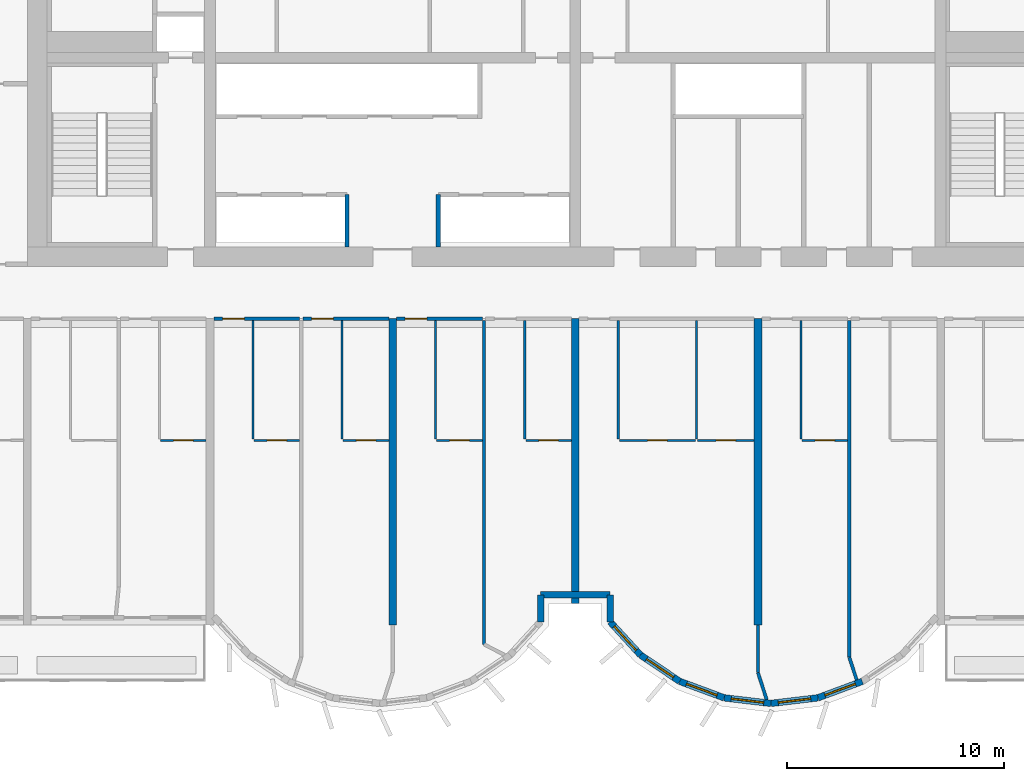
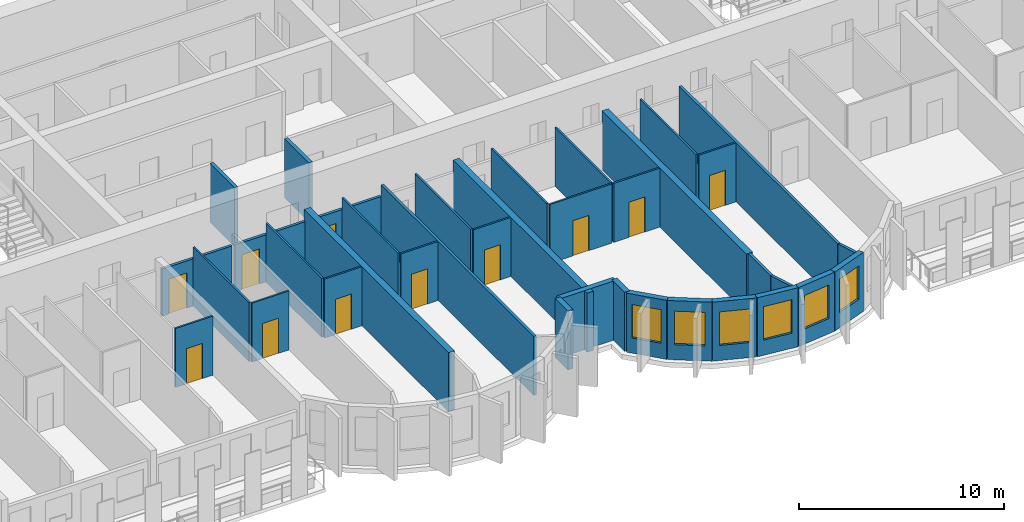
# One storey, part 5 of 15: 37 walls, 11 doors, 6 windows, 17 openings.
"""IFC4 building model written with IfcOpenShell, lengths in metres."""

from ifc_helpers import new_model, si_unit, direction, frame, frame_2d, origin, place, context, subcontext, project, spatial, rectangle, extrude, source, transform, mapped, material, layer, layer_set, type_object, element, fill, save


model = new_model("IFC4")

# Units and contexts
model_context = context("Model", 3, precision=1e-05, world=origin(), true_north=direction((0.0, 1.0)))
body_context = subcontext(model_context, "Body", "Model", "MODEL_VIEW")
ifc_project = project(units=[si_unit("LENGTHUNIT", "METRE"), si_unit("AREAUNIT", "SQUARE_METRE"), si_unit("VOLUMEUNIT", "CUBIC_METRE"), si_unit("PLANEANGLEUNIT", "RADIAN"), si_unit("MASSUNIT", "GRAM", prefix="KILO")], contexts=[model_context])

# Site, building, storey
site_placement = place(None, origin())
site = spatial("IfcSite", under=ifc_project, at=site_placement, CompositionType="ELEMENT")
building_placement = place(site_placement, origin())
building = spatial("IfcBuilding", under=site, at=building_placement, Name="Vanashikhar Sky Hotel", CompositionType="ELEMENT")
storey_placement = place(building_placement, frame((0.0, 0.0, 110.39990234375)))
storey = spatial("IfcBuildingStorey", under=building, at=storey_placement, Name="L26", CompositionType="ELEMENT", Elevation=110.39990234375)

# Walls
ifc_material_1 = material(Name="Concrete M70", Category="concrete")
ifc_layer_1 = layer(ifc_material_1, 0.35009765625)
ifc_layer_set_1 = layer_set([ifc_layer_1], Name="RC shear wall 350 Concrete M70")
wall_type_1 = type_object("IfcWallType", Name="RC shear wall 350 Concrete M70", PredefinedType="SHEAR", material=ifc_layer_set_1)
shared_shape_1 = source(origin(), body_context, "Body", "SweptSolid", [
    extrude(rectangle(XDim=14.10009765625, YDim=0.35009765625, at=frame_2d((7.050048828125, 0.0))), origin(), (0.0, 0.0, 1.0), 3.52001953125),
])
for number, where, z_axis, x_axis, name in (
    (1, (42.0, 5.5, 0.0), (0.0, 0.0, 1.0), (0.0, 1.0, 0.0), "CW-L26-XW06-1"),
    (2, (58.800048828125, 5.5, 0.0), (0.0, 0.0, 1.0), (0.0, 1.0, 0.0), "CW-L26-XW08-1"),
):
    element("IfcWall", number, at=place(storey_placement, frame(where, z_axis=z_axis, x_axis=x_axis)), inside=storey, type_object=wall_type_1, Name=name, PredefinedType="SHEAR", context=body_context, shape_type="MappedRepresentation", body=[
        mapped(shared_shape_1, transform((0.0, 0.0, 0.0), scale=1.0)),
    ])
shared_shape_2 = source(origin(), body_context, "Body", "SweptSolid", [
    extrude(rectangle(XDim=13.10009765625, YDim=0.35009765625, at=frame_2d((6.550048828125, 0.0))), origin(), (0.0, 0.0, 1.0), 3.52001953125),
])
wall_1_placement = place(storey_placement, frame((50.39990234375, 6.5, 0.0), z_axis=(0.0, 0.0, 1.0), x_axis=(0.0, 1.0, 0.0)))
element("IfcWall", 3, at=wall_1_placement, inside=storey, type_object=wall_type_1, Name="CW-L26-XW07-1", PredefinedType="SHEAR", context=body_context, shape_type="MappedRepresentation", body=[
    mapped(shared_shape_2, transform((0.0, 0.0, 0.0), scale=1.0)),
])

# Wall, opening, window
ifc_material_2 = material(Name="Concrete M50", Category="concrete")
ifc_layer_2 = layer(ifc_material_2, 0.300048828125)
ifc_layer_set_2 = layer_set([ifc_layer_2], Name="Lobe wall 300")
wall_type_2 = type_object("IfcWallType", Name="Lobe wall 300", PredefinedType="SOLIDWALL", material=ifc_layer_set_2)
shared_shape_3 = source(origin(), body_context, "Body", "SweptSolid", [
    extrude(rectangle(XDim=2.17578125, YDim=0.300048828125, at=frame_2d((1.087890625, 0.0))), origin(), (0.0, 0.0, 1.0), 3.52001953125),
])
wall_2_placement = place(storey_placement, frame((53.395751953125, 4.13134765625, 0.0), z_axis=(0.0, 0.0, 1.0), x_axis=(0.829590746428, -0.558371913192, 0.0)))
wall_2 = element("IfcWall", 4, at=wall_2_placement, inside=storey, type_object=wall_type_2, Name="Lobe wall", PredefinedType="SOLIDWALL", context=body_context, shape_type="MappedRepresentation", body=[
    mapped(shared_shape_3, transform((0.0, 0.0, 0.0), scale=1.0)),
])
shared_shape_4 = source(origin(), body_context, "Body", "SweptSolid", [
    extrude(rectangle(XDim=1.5, YDim=2.0, at=frame_2d((0.75, 1.0))), frame((0.0, 0.16015625, 0.0), z_axis=(0.0, -1.0, 0.0), x_axis=(1.0, 0.0, 0.0)), (0.0, 0.0, 1.0), 0.320068359375),
])
opening_1_placement = place(wall_2_placement, frame((0.337890625, 0.0, 0.89990234375)))
opening_1 = element("IfcOpeningElement", 5, at=opening_1_placement, cuts=wall_2, Name="Opening WN-2", PredefinedType="OPENING", context=body_context, shape_type="MappedRepresentation", body=[
    mapped(shared_shape_4, transform((0.0, 0.0, 0.0), scale=1.0)),
])
ifc_material_3 = material(Name="Glass", Category="glass")
window_type = type_object("IfcWindowType", Name="Lobe window 1500 x 2000", PartitioningType="SINGLE_PANEL", PredefinedType="WINDOW", material=ifc_material_3)
shared_shape_5 = source(origin(), body_context, "Body", "SweptSolid", [
    extrude(rectangle(XDim=1.5, YDim=2.0, at=frame_2d((0.75, 1.0))), frame((0.0, 0.030029296875, 0.0), z_axis=(0.0, -1.0, 0.0), x_axis=(1.0, 0.0, 0.0)), (0.0, 0.0, 1.0), 0.06005859375),
])
window_1_placement = place(opening_1_placement, origin())
window_1 = element("IfcWindow", 6, at=window_1_placement, inside=storey, type_object=window_type, Name="Window WN-2", OverallHeight=2.0, OverallWidth=1.5, PartitioningType="SINGLE_PANEL", PredefinedType="WINDOW", context=body_context, shape_type="MappedRepresentation", body=[
    mapped(shared_shape_5, transform((0.0, 0.0, 0.0), scale=1.0)),
])
fill(opening_1, window_1)

wall_3_placement = place(storey_placement, frame((55.20068359375, 2.91650390625, 0.0), z_axis=(0.0, 0.0, 1.0), x_axis=(0.93754555999, -0.347862505801, 0.0)))
wall_3 = element("IfcWall", 7, at=wall_3_placement, inside=storey, type_object=wall_type_2, Name="Lobe wall", PredefinedType="SOLIDWALL", context=body_context, shape_type="MappedRepresentation", body=[
    mapped(shared_shape_3, transform((0.0, 0.0, 0.0), scale=1.0)),
])
opening_2_placement = place(wall_3_placement, frame((0.337890625, 0.0, 0.89990234375)))
opening_2 = element("IfcOpeningElement", 8, at=opening_2_placement, cuts=wall_3, Name="Opening WN-2", PredefinedType="OPENING", context=body_context, shape_type="MappedRepresentation", body=[
    mapped(shared_shape_4, transform((0.0, 0.0, 0.0), scale=1.0)),
])
window_2_placement = place(opening_2_placement, origin())
window_2 = element("IfcWindow", 9, at=window_2_placement, inside=storey, type_object=window_type, Name="Window WN-2", OverallHeight=2.0, OverallWidth=1.5, PartitioningType="SINGLE_PANEL", PredefinedType="WINDOW", context=body_context, shape_type="MappedRepresentation", body=[
    mapped(shared_shape_5, transform((0.0, 0.0, 0.0), scale=1.0)),
])
fill(opening_2, window_2)

shared_shape_6 = source(origin(), body_context, "Body", "SweptSolid", [
    extrude(rectangle(XDim=2.174560546875, YDim=0.300048828125, at=frame_2d((1.08740234375, 0.0))), origin(), (0.0, 0.0, 1.0), 3.52001953125),
])
wall_4_placement = place(storey_placement, frame((57.240478515625, 2.15966796875, 0.0), z_axis=(0.0, 0.0, 1.0), x_axis=(0.993001132889, -0.118104826659, 0.0)))
wall_4 = element("IfcWall", 10, at=wall_4_placement, inside=storey, type_object=wall_type_2, Name="Lobe wall", PredefinedType="SOLIDWALL", context=body_context, shape_type="MappedRepresentation", body=[
    mapped(shared_shape_6, transform((0.0, 0.0, 0.0), scale=1.0)),
])
opening_3_placement = place(wall_4_placement, frame((0.33740234375, 0.0, 0.89990234375)))
opening_3 = element("IfcOpeningElement", 11, at=opening_3_placement, cuts=wall_4, Name="Opening WN-2", PredefinedType="OPENING", context=body_context, shape_type="MappedRepresentation", body=[
    mapped(shared_shape_4, transform((0.0, 0.0, 0.0), scale=1.0)),
])
window_3_placement = place(opening_3_placement, origin())
window_3 = element("IfcWindow", 12, at=window_3_placement, inside=storey, type_object=window_type, Name="Window WN-2", OverallHeight=2.0, OverallWidth=1.5, PartitioningType="SINGLE_PANEL", PredefinedType="WINDOW", context=body_context, shape_type="MappedRepresentation", body=[
    mapped(shared_shape_5, transform((0.0, 0.0, 0.0), scale=1.0)),
])
fill(opening_3, window_3)

shared_shape_7 = source(origin(), body_context, "Body", "SweptSolid", [
    extrude(rectangle(XDim=2.1748046875, YDim=0.300048828125, at=frame_2d((1.08740234375, 0.0))), origin(), (0.0, 0.0, 1.0), 3.52001953125),
])
wall_5_placement = place(storey_placement, frame((59.39990234375, 1.90283203125, 0.0), z_axis=(0.0, 0.0, 1.0), x_axis=(0.993002698611, 0.118091661648, 0.0)))
wall_5 = element("IfcWall", 13, at=wall_5_placement, inside=storey, type_object=wall_type_2, Name="Lobe wall", PredefinedType="SOLIDWALL", context=body_context, shape_type="MappedRepresentation", body=[
    mapped(shared_shape_7, transform((0.0, 0.0, 0.0), scale=1.0)),
])
opening_4_placement = place(wall_5_placement, frame((0.33740234375, 0.0, 0.89990234375)))
opening_4 = element("IfcOpeningElement", 14, at=opening_4_placement, cuts=wall_5, Name="Opening WN-2", PredefinedType="OPENING", context=body_context, shape_type="MappedRepresentation", body=[
    mapped(shared_shape_4, transform((0.0, 0.0, 0.0), scale=1.0)),
])
window_4_placement = place(opening_4_placement, origin())
window_4 = element("IfcWindow", 15, at=window_4_placement, inside=storey, type_object=window_type, Name="Window WN-2", OverallHeight=2.0, OverallWidth=1.5, PartitioningType="SINGLE_PANEL", PredefinedType="WINDOW", context=body_context, shape_type="MappedRepresentation", body=[
    mapped(shared_shape_5, transform((0.0, 0.0, 0.0), scale=1.0)),
])
fill(opening_4, window_4)

shared_shape_8 = source(origin(), body_context, "Body", "SweptSolid", [
    extrude(rectangle(XDim=2.175537109375, YDim=0.300048828125, at=frame_2d((1.087890625, 0.0))), origin(), (0.0, 0.0, 1.0), 3.52001953125),
])
wall_6_placement = place(storey_placement, frame((61.5595703125, 2.15966796875, 0.0), z_axis=(0.0, 0.0, 1.0), x_axis=(0.937531979054, 0.347899106424, 0.0)))
wall_6 = element("IfcWall", 16, at=wall_6_placement, inside=storey, type_object=wall_type_2, Name="Lobe wall", PredefinedType="SOLIDWALL", context=body_context, shape_type="MappedRepresentation", body=[
    mapped(shared_shape_8, transform((0.0, 0.0, 0.0), scale=1.0)),
])
opening_5_placement = place(wall_6_placement, frame((0.337890625, 0.0, 0.89990234375)))
opening_5 = element("IfcOpeningElement", 17, at=opening_5_placement, cuts=wall_6, Name="Opening WN-2", PredefinedType="OPENING", context=body_context, shape_type="MappedRepresentation", body=[
    mapped(shared_shape_4, transform((0.0, 0.0, 0.0), scale=1.0)),
])
window_5_placement = place(opening_5_placement, origin())
window_5 = element("IfcWindow", 18, at=window_5_placement, inside=storey, type_object=window_type, Name="Window WN-2", OverallHeight=2.0, OverallWidth=1.5, PartitioningType="SINGLE_PANEL", PredefinedType="WINDOW", context=body_context, shape_type="MappedRepresentation", body=[
    mapped(shared_shape_5, transform((0.0, 0.0, 0.0), scale=1.0)),
])
fill(opening_5, window_5)

shared_shape_9 = source(origin(), body_context, "Body", "SweptSolid", [
    extrude(rectangle(XDim=2.066650390625, YDim=0.300048828125, at=frame_2d((1.033203125, 0.0))), origin(), (0.0, 0.0, 1.0), 3.52001953125),
])
wall_7_placement = place(storey_placement, frame((52.0, 5.655517578125, 0.0), z_axis=(0.0, 0.0, 1.0), x_axis=(0.675355439877, -0.737492393065, 0.0)))
wall_7 = element("IfcWall", 19, at=wall_7_placement, inside=storey, type_object=wall_type_2, Name="Lobe wall", PredefinedType="SOLIDWALL", context=body_context, shape_type="MappedRepresentation", body=[
    mapped(shared_shape_9, transform((0.0, 0.0, 0.0), scale=1.0)),
])
opening_6_placement = place(wall_7_placement, frame((0.283447265625, 0.0, 0.89990234375)))
opening_6 = element("IfcOpeningElement", 20, at=opening_6_placement, cuts=wall_7, Name="Opening WN-2", PredefinedType="OPENING", context=body_context, shape_type="MappedRepresentation", body=[
    mapped(shared_shape_4, transform((0.0, 0.0, 0.0), scale=1.0)),
])
window_6_placement = place(opening_6_placement, origin())
window_6 = element("IfcWindow", 21, at=window_6_placement, inside=storey, type_object=window_type, Name="Window WN-2", OverallHeight=2.0, OverallWidth=1.5, PartitioningType="SINGLE_PANEL", PredefinedType="WINDOW", context=body_context, shape_type="MappedRepresentation", body=[
    mapped(shared_shape_5, transform((0.0, 0.0, 0.0), scale=1.0)),
])
fill(opening_6, window_6)

# Walls
shared_shape_10 = source(origin(), body_context, "Body", "SweptSolid", [
    extrude(rectangle(XDim=1.244384765625, YDim=0.300048828125, at=frame_2d((0.6220703125, 0.0))), origin(), (0.0, 0.0, 1.0), 3.52001953125),
])
for number, where, z_axis, x_axis, name in (
    (22, (48.800048828125, 5.655517578125, 0.0), (0.0, 0.0, 1.0), (0.0, 1.0, 0.0), "Groove wall"),
    (23, (52.0, 6.89990234375, 0.0), (0.0, 0.0, 1.0), (0.0, -1.0, 0.0), "Groove wall"),
):
    element("IfcWall", number, at=place(storey_placement, frame(where, z_axis=z_axis, x_axis=x_axis)), inside=storey, type_object=wall_type_2, Name=name, PredefinedType="SOLIDWALL", context=body_context, shape_type="MappedRepresentation", body=[
        mapped(shared_shape_10, transform((0.0, 0.0, 0.0), scale=1.0)),
    ])
shared_shape_11 = source(origin(), body_context, "Body", "SweptSolid", [
    extrude(rectangle(XDim=3.199951171875, YDim=0.300048828125, at=frame_2d((1.60009765625, 0.0))), origin(), (0.0, 0.0, 1.0), 3.52001953125),
])
wall_8_placement = place(storey_placement, frame((48.800048828125, 6.89990234375, 0.0), z_axis=(0.0, 0.0, 1.0), x_axis=(1.0, 0.0, 0.0)))
element("IfcWall", 24, at=wall_8_placement, inside=storey, type_object=wall_type_2, Name="Groove wall", PredefinedType="SOLIDWALL", context=body_context, shape_type="MappedRepresentation", body=[
    mapped(shared_shape_11, transform((0.0, 0.0, 0.0), scale=1.0)),
])
ifc_material_4 = material(Name="Concrete M40", Category="concrete")
ifc_layer_3 = layer(ifc_material_4, 0.199951171875)
ifc_layer_set_3 = layer_set([ifc_layer_3], Name="Shaft wall 200")
wall_type_3 = type_object("IfcWallType", Name="Shaft wall 200", PredefinedType="SOLIDWALL", material=ifc_layer_set_3)
shared_shape_12 = source(origin(), body_context, "Body", "SweptSolid", [
    extrude(rectangle(XDim=2.400146484375, YDim=0.199951171875, at=frame_2d((1.2001953125, 0.0))), origin(), (0.0, 0.0, 1.0), 3.52001953125),
])
for number, where, z_axis, x_axis, name in (
    (25, (39.89990234375, 22.89990234375, 0.0), (0.0, 0.0, 1.0), (0.0, 1.0, 0.0), "Shaft wall 200"),
    (26, (44.10009765625, 22.89990234375, 0.0), (0.0, 0.0, 1.0), (0.0, 1.0, 0.0), "Shaft wall 200"),
):
    element("IfcWall", number, at=place(storey_placement, frame(where, z_axis=z_axis, x_axis=x_axis)), inside=storey, type_object=wall_type_3, Name=name, PredefinedType="SOLIDWALL", context=body_context, shape_type="MappedRepresentation", body=[
        mapped(shared_shape_12, transform((0.0, 0.0, 0.0), scale=1.0)),
    ])
ifc_material_5 = material(Name="Gypsum plasterboard partition")
ifc_layer_4 = layer(ifc_material_5, 0.14990234375)
ifc_layer_set_4 = layer_set([ifc_layer_4], Name="Corridor and demising partition 150")
wall_type_4 = type_object("IfcWallType", Name="Corridor and demising partition 150", PredefinedType="PARTITIONING", material=ifc_layer_set_4)
shared_shape_13 = source(origin(), body_context, "Body", "SweptSolid", [
    extrude(rectangle(XDim=2.177978515625, YDim=0.14990234375, at=frame_2d((1.0888671875, 0.0))), origin(), (0.0, 0.0, 1.0), 3.52001953125),
])
wall_9_placement = place(storey_placement, frame((58.800048828125, 3.322021484375, 0.0), z_axis=(0.0, 0.0, 1.0), x_axis=(0.0, 1.0, 0.0)))
element("IfcWall", 27, at=wall_9_placement, inside=storey, type_object=wall_type_4, Name="W-L26-PW080", PredefinedType="PARTITIONING", context=body_context, shape_type="MappedRepresentation", body=[
    mapped(shared_shape_13, transform((0.0, 0.0, 0.0), scale=1.0)),
])

# Wall, opening, door
ifc_layer_5 = layer(ifc_material_5, 0.10009765625)
ifc_layer_set_5 = layer_set([ifc_layer_5], Name="Wet room partition 100")
wall_type_5 = type_object("IfcWallType", Name="Wet room partition 100", PredefinedType="PARTITIONING", material=ifc_layer_set_5)
shared_shape_14 = source(origin(), body_context, "Body", "SweptSolid", [
    extrude(rectangle(XDim=3.5, YDim=0.10009765625, at=frame_2d((1.75, 0.0))), origin(), (0.0, 0.0, 1.0), 3.52001953125),
])
wall_10_placement = place(storey_placement, frame((52.425048828125, 14.0, 0.0), z_axis=(0.0, 0.0, 1.0), x_axis=(1.0, 0.0, 0.0)))
wall_10 = element("IfcWall", 28, at=wall_10_placement, inside=storey, type_object=wall_type_5, Name="W-L26-PW045", PredefinedType="PARTITIONING", context=body_context, shape_type="MappedRepresentation", body=[
    mapped(shared_shape_14, transform((0.0, 0.0, 0.0), scale=1.0)),
])
shared_shape_15 = source(origin(), body_context, "Body", "SweptSolid", [
    extrude(rectangle(XDim=0.89990234375, YDim=2.10009765625, at=frame_2d((0.449951171875, 1.050048828125))), frame((0.0, 0.06005859375, 0.0), z_axis=(0.0, -1.0, 0.0), x_axis=(1.0, 0.0, 0.0)), (0.0, 0.0, 1.0), 0.1201171875),
])
opening_7_placement = place(wall_10_placement, frame((1.300048828125, 0.0, 0.0)))
opening_7 = element("IfcOpeningElement", 29, at=opening_7_placement, cuts=wall_10, Name="Opening D-02", PredefinedType="OPENING", context=body_context, shape_type="MappedRepresentation", body=[
    mapped(shared_shape_15, transform((0.0, 0.0, 0.0), scale=1.0)),
])
ifc_material_6 = material(Name="Timber door", Category="wood")
door_type_1 = type_object("IfcDoorType", Name="Internal door 900", OperationType="NOTDEFINED", PredefinedType="DOOR", material=ifc_material_6)
shared_shape_16 = source(origin(), body_context, "Body", "SweptSolid", [
    extrude(rectangle(XDim=0.89990234375, YDim=2.10009765625, at=frame_2d((0.449951171875, 1.050048828125))), frame((0.0, 0.02490234375, 0.0), z_axis=(0.0, -1.0, 0.0), x_axis=(1.0, 0.0, 0.0)), (0.0, 0.0, 1.0), 0.050048828125),
])
door_1_placement = place(opening_7_placement, origin())
door_1 = element("IfcDoor", 30, at=door_1_placement, inside=storey, type_object=door_type_1, Name="D-L26-025", OperationType="SINGLE_SWING_LEFT", OverallHeight=2.10009765625, OverallWidth=0.89990234375, PredefinedType="DOOR", context=body_context, shape_type="MappedRepresentation", body=[
    mapped(shared_shape_16, transform((0.0, 0.0, 0.0), scale=1.0)),
])
fill(opening_7, door_1)

# Walls
shared_shape_17 = source(origin(), body_context, "Body", "SweptSolid", [
    extrude(rectangle(XDim=1.100830078125, YDim=0.14990234375, at=frame_2d((0.55029296875, 0.0))), origin(), (0.0, 0.0, 1.0), 3.52001953125),
])
wall_11_placement = place(storey_placement, frame((63.343017578125, 2.98095703125, 0.0), z_axis=(0.0, 0.0, 1.0), x_axis=(-0.311567081539, 0.950224159712, 0.0)))
element("IfcWall", 31, at=wall_11_placement, inside=storey, type_object=wall_type_4, Name="W-L26-PW054B0", PredefinedType="PARTITIONING", context=body_context, shape_type="MappedRepresentation", body=[
    mapped(shared_shape_17, transform((0.0, 0.0, 0.0), scale=1.0)),
])
shared_shape_18 = source(origin(), body_context, "Body", "SweptSolid", [
    extrude(rectangle(XDim=1.308349609375, YDim=0.14990234375, at=frame_2d((0.654296875, 0.0))), origin(), (0.0, 0.0, 1.0), 3.52001953125),
])
wall_12_placement = place(storey_placement, frame((59.201904296875, 2.076904296875, 0.0), z_axis=(0.0, 0.0, 1.0), x_axis=(-0.307144529633, 0.951662880392, 0.0)))
element("IfcWall", 32, at=wall_12_placement, inside=storey, type_object=wall_type_4, Name="W-L26-PW080B0", PredefinedType="PARTITIONING", context=body_context, shape_type="MappedRepresentation", body=[
    mapped(shared_shape_18, transform((0.0, 0.0, 0.0), scale=1.0)),
])
shared_shape_19 = source(origin(), body_context, "Body", "SweptSolid", [
    extrude(rectangle(XDim=5.449951171875, YDim=0.10009765625, at=frame_2d((2.72509765625, 0.0))), origin(), (0.0, 0.0, 1.0), 3.52001953125),
])
for number, where, z_axis, x_axis, name in (
    (33, (35.574951171875, 14.074951171875, 0.0), (0.0, 0.0, 1.0), (0.0, 1.0, 0.0), "W-L26-PW029"),
    (34, (39.675048828125, 14.074951171875, 0.0), (0.0, 0.0, 1.0), (0.0, 1.0, 0.0), "W-L26-PW032"),
    (35, (43.97509765625, 14.074951171875, 0.0), (0.0, 0.0, 1.0), (0.0, 1.0, 0.0), "W-L26-PW036"),
    (36, (48.074951171875, 14.074951171875, 0.0), (0.0, 0.0, 1.0), (0.0, 1.0, 0.0), "W-L26-PW039"),
    (37, (52.375, 14.074951171875, 0.0), (0.0, 0.0, 1.0), (0.0, 1.0, 0.0), "W-L26-PW043"),
    (38, (55.97509765625, 14.074951171875, 0.0), (0.0, 0.0, 1.0), (0.0, 1.0, 0.0), "W-L26-PW044"),
    (39, (60.77490234375, 14.074951171875, 0.0), (0.0, 0.0, 1.0), (0.0, 1.0, 0.0), "W-L26-PW048"),
):
    element("IfcWall", number, at=place(storey_placement, frame(where, z_axis=z_axis, x_axis=x_axis)), inside=storey, type_object=wall_type_5, Name=name, PredefinedType="PARTITIONING", context=body_context, shape_type="MappedRepresentation", body=[
        mapped(shared_shape_19, transform((0.0, 0.0, 0.0), scale=1.0)),
    ])

# Wall, opening, door
shared_shape_20 = source(origin(), body_context, "Body", "SweptSolid", [
    extrude(rectangle(XDim=2.10009765625, YDim=0.10009765625, at=frame_2d((1.050048828125, 0.0))), origin(), (0.0, 0.0, 1.0), 3.52001953125),
])
wall_13_placement = place(storey_placement, frame((31.324951171875, 14.0, 0.0), z_axis=(0.0, 0.0, 1.0), x_axis=(1.0, 0.0, 0.0)))
wall_13 = element("IfcWall", 40, at=wall_13_placement, inside=storey, type_object=wall_type_5, Name="W-L26-PW026", PredefinedType="PARTITIONING", context=body_context, shape_type="MappedRepresentation", body=[
    mapped(shared_shape_20, transform((0.0, 0.0, 0.0), scale=1.0)),
])
opening_8_placement = place(wall_13_placement, frame((0.60009765625, 0.0, 0.0)))
opening_8 = element("IfcOpeningElement", 41, at=opening_8_placement, cuts=wall_13, Name="Opening D-02", PredefinedType="OPENING", context=body_context, shape_type="MappedRepresentation", body=[
    mapped(shared_shape_15, transform((0.0, 0.0, 0.0), scale=1.0)),
])
door_2_placement = place(opening_8_placement, origin())
door_2 = element("IfcDoor", 42, at=door_2_placement, inside=storey, type_object=door_type_1, Name="D-L26-015", OperationType="SINGLE_SWING_LEFT", OverallHeight=2.10009765625, OverallWidth=0.89990234375, PredefinedType="DOOR", context=body_context, shape_type="MappedRepresentation", body=[
    mapped(shared_shape_16, transform((0.0, 0.0, 0.0), scale=1.0)),
])
fill(opening_8, door_2)

wall_14_placement = place(storey_placement, frame((35.625, 14.0, 0.0), z_axis=(0.0, 0.0, 1.0), x_axis=(1.0, 0.0, 0.0)))
wall_14 = element("IfcWall", 43, at=wall_14_placement, inside=storey, type_object=wall_type_5, Name="W-L26-PW030", PredefinedType="PARTITIONING", context=body_context, shape_type="MappedRepresentation", body=[
    mapped(shared_shape_20, transform((0.0, 0.0, 0.0), scale=1.0)),
])
opening_9_placement = place(wall_14_placement, frame((0.60009765625, 0.0, 0.0)))
opening_9 = element("IfcOpeningElement", 44, at=opening_9_placement, cuts=wall_14, Name="Opening D-02", PredefinedType="OPENING", context=body_context, shape_type="MappedRepresentation", body=[
    mapped(shared_shape_15, transform((0.0, 0.0, 0.0), scale=1.0)),
])
door_3_placement = place(opening_9_placement, origin())
door_3 = element("IfcDoor", 45, at=door_3_placement, inside=storey, type_object=door_type_1, Name="D-L26-017", OperationType="SINGLE_SWING_LEFT", OverallHeight=2.10009765625, OverallWidth=0.89990234375, PredefinedType="DOOR", context=body_context, shape_type="MappedRepresentation", body=[
    mapped(shared_shape_16, transform((0.0, 0.0, 0.0), scale=1.0)),
])
fill(opening_9, door_3)

wall_15_placement = place(storey_placement, frame((44.02490234375, 14.0, 0.0), z_axis=(0.0, 0.0, 1.0), x_axis=(1.0, 0.0, 0.0)))
wall_15 = element("IfcWall", 46, at=wall_15_placement, inside=storey, type_object=wall_type_5, Name="W-L26-PW037", PredefinedType="PARTITIONING", context=body_context, shape_type="MappedRepresentation", body=[
    mapped(shared_shape_20, transform((0.0, 0.0, 0.0), scale=1.0)),
])
opening_10_placement = place(wall_15_placement, frame((0.60009765625, 0.0, 0.0)))
opening_10 = element("IfcOpeningElement", 47, at=opening_10_placement, cuts=wall_15, Name="Opening D-02", PredefinedType="OPENING", context=body_context, shape_type="MappedRepresentation", body=[
    mapped(shared_shape_15, transform((0.0, 0.0, 0.0), scale=1.0)),
])
door_4_placement = place(opening_10_placement, origin())
door_4 = element("IfcDoor", 48, at=door_4_placement, inside=storey, type_object=door_type_1, Name="D-L26-021", OperationType="SINGLE_SWING_LEFT", OverallHeight=2.10009765625, OverallWidth=0.89990234375, PredefinedType="DOOR", context=body_context, shape_type="MappedRepresentation", body=[
    mapped(shared_shape_16, transform((0.0, 0.0, 0.0), scale=1.0)),
])
fill(opening_10, door_4)

wall_16_placement = place(storey_placement, frame((48.125, 14.0, 0.0), z_axis=(0.0, 0.0, 1.0), x_axis=(1.0, 0.0, 0.0)))
wall_16 = element("IfcWall", 49, at=wall_16_placement, inside=storey, type_object=wall_type_5, Name="W-L26-PW040", PredefinedType="PARTITIONING", context=body_context, shape_type="MappedRepresentation", body=[
    mapped(shared_shape_20, transform((0.0, 0.0, 0.0), scale=1.0)),
])
opening_11_placement = place(wall_16_placement, frame((0.60009765625, 0.0, 0.0)))
opening_11 = element("IfcOpeningElement", 50, at=opening_11_placement, cuts=wall_16, Name="Opening D-02", PredefinedType="OPENING", context=body_context, shape_type="MappedRepresentation", body=[
    mapped(shared_shape_15, transform((0.0, 0.0, 0.0), scale=1.0)),
])
door_5_placement = place(opening_11_placement, origin())
door_5 = element("IfcDoor", 51, at=door_5_placement, inside=storey, type_object=door_type_1, Name="D-L26-023", OperationType="SINGLE_SWING_LEFT", OverallHeight=2.10009765625, OverallWidth=0.89990234375, PredefinedType="DOOR", context=body_context, shape_type="MappedRepresentation", body=[
    mapped(shared_shape_16, transform((0.0, 0.0, 0.0), scale=1.0)),
])
fill(opening_11, door_5)

wall_17_placement = place(storey_placement, frame((60.824951171875, 14.0, 0.0), z_axis=(0.0, 0.0, 1.0), x_axis=(1.0, 0.0, 0.0)))
wall_17 = element("IfcWall", 52, at=wall_17_placement, inside=storey, type_object=wall_type_5, Name="W-L26-PW049", PredefinedType="PARTITIONING", context=body_context, shape_type="MappedRepresentation", body=[
    mapped(shared_shape_20, transform((0.0, 0.0, 0.0), scale=1.0)),
])
opening_12_placement = place(wall_17_placement, frame((0.60009765625, 0.0, 0.0)))
opening_12 = element("IfcOpeningElement", 53, at=opening_12_placement, cuts=wall_17, Name="Opening D-02", PredefinedType="OPENING", context=body_context, shape_type="MappedRepresentation", body=[
    mapped(shared_shape_15, transform((0.0, 0.0, 0.0), scale=1.0)),
])
door_6_placement = place(opening_12_placement, origin())
door_6 = element("IfcDoor", 54, at=door_6_placement, inside=storey, type_object=door_type_1, Name="D-L26-028", OperationType="SINGLE_SWING_LEFT", OverallHeight=2.10009765625, OverallWidth=0.89990234375, PredefinedType="DOOR", context=body_context, shape_type="MappedRepresentation", body=[
    mapped(shared_shape_16, transform((0.0, 0.0, 0.0), scale=1.0)),
])
fill(opening_12, door_6)

shared_shape_21 = source(origin(), body_context, "Body", "SweptSolid", [
    extrude(rectangle(XDim=3.9501953125, YDim=0.14990234375, at=frame_2d((1.97509765625, 0.0))), origin(), (0.0, 0.0, 1.0), 2.820068359375),
])
wall_18_placement = place(storey_placement, frame((33.77490234375, 19.60009765625, 0.0), z_axis=(0.0, 0.0, 1.0), x_axis=(1.0, 0.0, 0.0)))
wall_18 = element("IfcWall", 55, at=wall_18_placement, inside=storey, type_object=wall_type_4, Name="W-L26-PW031", PredefinedType="PARTITIONING", context=body_context, shape_type="MappedRepresentation", body=[
    mapped(shared_shape_21, transform((0.0, 0.0, 0.0), scale=1.0)),
])
shared_shape_22 = source(origin(), body_context, "Body", "SweptSolid", [
    extrude(rectangle(XDim=1.0, YDim=2.10009765625, at=frame_2d((0.5, 1.050048828125))), frame((0.0, 0.0849609375, 0.0), z_axis=(0.0, -1.0, 0.0), x_axis=(1.0, 0.0, 0.0)), (0.0, 0.0, 1.0), 0.169921875),
])
opening_13_placement = place(wall_18_placement, frame((0.39990234375, 0.0, 0.0)))
opening_13 = element("IfcOpeningElement", 56, at=opening_13_placement, cuts=wall_18, Name="Opening D-01", PredefinedType="OPENING", context=body_context, shape_type="MappedRepresentation", body=[
    mapped(shared_shape_22, transform((0.0, 0.0, 0.0), scale=1.0)),
])
ifc_material_7 = material(Name="Timber fire door", Category="wood")
door_type_2 = type_object("IfcDoorType", Name="Guest entry door 1000 FD30S", OperationType="NOTDEFINED", PredefinedType="DOOR", material=ifc_material_7)
shared_shape_23 = source(origin(), body_context, "Body", "SweptSolid", [
    extrude(rectangle(XDim=1.0, YDim=2.10009765625, at=frame_2d((0.5, 1.050048828125))), frame((0.0, 0.02490234375, 0.0), z_axis=(0.0, -1.0, 0.0), x_axis=(1.0, 0.0, 0.0)), (0.0, 0.0, 1.0), 0.050048828125),
])
door_7_placement = place(opening_13_placement, origin())
door_7 = element("IfcDoor", 57, at=door_7_placement, inside=storey, type_object=door_type_2, Name="D-L26-018", OperationType="SINGLE_SWING_LEFT", OverallHeight=2.10009765625, OverallWidth=1.0, PredefinedType="DOOR", context=body_context, shape_type="MappedRepresentation", body=[
    mapped(shared_shape_23, transform((0.0, 0.0, 0.0), scale=1.0)),
])
fill(opening_13, door_7)

shared_shape_24 = source(origin(), body_context, "Body", "SweptSolid", [
    extrude(rectangle(XDim=2.60009765625, YDim=0.10009765625, at=frame_2d((1.300048828125, 0.0))), origin(), (0.0, 0.0, 1.0), 3.52001953125),
])
wall_19_placement = place(storey_placement, frame((56.02490234375, 14.0, 0.0), z_axis=(0.0, 0.0, 1.0), x_axis=(1.0, 0.0, 0.0)))
wall_19 = element("IfcWall", 58, at=wall_19_placement, inside=storey, type_object=wall_type_5, Name="W-L26-PW046", PredefinedType="PARTITIONING", context=body_context, shape_type="MappedRepresentation", body=[
    mapped(shared_shape_24, transform((0.0, 0.0, 0.0), scale=1.0)),
])
opening_14_placement = place(wall_19_placement, frame((0.85009765625, 0.0, 0.0)))
opening_14 = element("IfcOpeningElement", 59, at=opening_14_placement, cuts=wall_19, Name="Opening D-02", PredefinedType="OPENING", context=body_context, shape_type="MappedRepresentation", body=[
    mapped(shared_shape_15, transform((0.0, 0.0, 0.0), scale=1.0)),
])
door_8_placement = place(opening_14_placement, origin())
door_8 = element("IfcDoor", 60, at=door_8_placement, inside=storey, type_object=door_type_1, Name="D-L26-026", OperationType="SINGLE_SWING_LEFT", OverallHeight=2.10009765625, OverallWidth=0.89990234375, PredefinedType="DOOR", context=body_context, shape_type="MappedRepresentation", body=[
    mapped(shared_shape_16, transform((0.0, 0.0, 0.0), scale=1.0)),
])
fill(opening_14, door_8)

shared_shape_25 = source(origin(), body_context, "Body", "SweptSolid", [
    extrude(rectangle(XDim=3.949951171875, YDim=0.14990234375, at=frame_2d((1.97509765625, 0.0))), origin(), (0.0, 0.0, 1.0), 2.820068359375),
])
wall_20_placement = place(storey_placement, frame((37.875, 19.60009765625, 0.0), z_axis=(0.0, 0.0, 1.0), x_axis=(1.0, 0.0, 0.0)))
wall_20 = element("IfcWall", 61, at=wall_20_placement, inside=storey, type_object=wall_type_4, Name="W-L26-PW034", PredefinedType="PARTITIONING", context=body_context, shape_type="MappedRepresentation", body=[
    mapped(shared_shape_25, transform((0.0, 0.0, 0.0), scale=1.0)),
])
opening_15_placement = place(wall_20_placement, frame((0.39990234375, 0.0, 0.0)))
opening_15 = element("IfcOpeningElement", 62, at=opening_15_placement, cuts=wall_20, Name="Opening D-01", PredefinedType="OPENING", context=body_context, shape_type="MappedRepresentation", body=[
    mapped(shared_shape_22, transform((0.0, 0.0, 0.0), scale=1.0)),
])
door_9_placement = place(opening_15_placement, origin())
door_9 = element("IfcDoor", 63, at=door_9_placement, inside=storey, type_object=door_type_2, Name="D-L26-020", OperationType="SINGLE_SWING_LEFT", OverallHeight=2.10009765625, OverallWidth=1.0, PredefinedType="DOOR", context=body_context, shape_type="MappedRepresentation", body=[
    mapped(shared_shape_23, transform((0.0, 0.0, 0.0), scale=1.0)),
])
fill(opening_15, door_9)

wall_21_placement = place(storey_placement, frame((42.175048828125, 19.60009765625, 0.0), z_axis=(0.0, 0.0, 1.0), x_axis=(1.0, 0.0, 0.0)))
wall_21 = element("IfcWall", 64, at=wall_21_placement, inside=storey, type_object=wall_type_4, Name="W-L26-PW038", PredefinedType="PARTITIONING", context=body_context, shape_type="MappedRepresentation", body=[
    mapped(shared_shape_25, transform((0.0, 0.0, 0.0), scale=1.0)),
])
opening_16_placement = place(wall_21_placement, frame((0.39990234375, 0.0, 0.0)))
opening_16 = element("IfcOpeningElement", 65, at=opening_16_placement, cuts=wall_21, Name="Opening D-01", PredefinedType="OPENING", context=body_context, shape_type="MappedRepresentation", body=[
    mapped(shared_shape_22, transform((0.0, 0.0, 0.0), scale=1.0)),
])
door_10_placement = place(opening_16_placement, origin())
door_10 = element("IfcDoor", 66, at=door_10_placement, inside=storey, type_object=door_type_2, Name="D-L26-022", OperationType="SINGLE_SWING_LEFT", OverallHeight=2.10009765625, OverallWidth=1.0, PredefinedType="DOOR", context=body_context, shape_type="MappedRepresentation", body=[
    mapped(shared_shape_23, transform((0.0, 0.0, 0.0), scale=1.0)),
])
fill(opening_16, door_10)

shared_shape_26 = source(origin(), body_context, "Body", "SweptSolid", [
    extrude(rectangle(XDim=2.099853515625, YDim=0.10009765625, at=frame_2d((1.0498046875, 0.0))), origin(), (0.0, 0.0, 1.0), 3.52001953125),
])
wall_22_placement = place(storey_placement, frame((39.72509765625, 14.0, 0.0), z_axis=(0.0, 0.0, 1.0), x_axis=(1.0, 0.0, 0.0)))
wall_22 = element("IfcWall", 67, at=wall_22_placement, inside=storey, type_object=wall_type_5, Name="W-L26-PW033", PredefinedType="PARTITIONING", context=body_context, shape_type="MappedRepresentation", body=[
    mapped(shared_shape_26, transform((0.0, 0.0, 0.0), scale=1.0)),
])
opening_17_placement = place(wall_22_placement, frame((0.60009765625, 0.0, 0.0)))
opening_17 = element("IfcOpeningElement", 68, at=opening_17_placement, cuts=wall_22, Name="Opening D-02", PredefinedType="OPENING", context=body_context, shape_type="MappedRepresentation", body=[
    mapped(shared_shape_15, transform((0.0, 0.0, 0.0), scale=1.0)),
])
door_11_placement = place(opening_17_placement, origin())
door_11 = element("IfcDoor", 69, at=door_11_placement, inside=storey, type_object=door_type_1, Name="D-L26-019", OperationType="SINGLE_SWING_LEFT", OverallHeight=2.10009765625, OverallWidth=0.89990234375, PredefinedType="DOOR", context=body_context, shape_type="MappedRepresentation", body=[
    mapped(shared_shape_16, transform((0.0, 0.0, 0.0), scale=1.0)),
])
fill(opening_17, door_11)

# Walls
shared_shape_27 = source(origin(), body_context, "Body", "SweptSolid", [
    extrude(rectangle(XDim=15.497802734375, YDim=0.14990234375, at=frame_2d((7.7490234375, 0.0))), origin(), (0.0, 0.0, 1.0), 3.52001953125),
])
wall_23_placement = place(storey_placement, frame((63.0, 4.027099609375, 0.0), z_axis=(0.0, 0.0, 1.0), x_axis=(0.0, 1.0, 0.0)))
element("IfcWall", 70, at=wall_23_placement, inside=storey, type_object=wall_type_4, Name="W-L26-PW054", PredefinedType="PARTITIONING", context=body_context, shape_type="MappedRepresentation", body=[
    mapped(shared_shape_27, transform((0.0, 0.0, 0.0), scale=1.0)),
])
shared_shape_28 = source(origin(), body_context, "Body", "SweptSolid", [
    extrude(rectangle(XDim=14.906005859375, YDim=0.14990234375, at=frame_2d((7.453125, 0.0))), origin(), (0.0, 0.0, 1.0), 3.52001953125),
])
wall_24_placement = place(storey_placement, frame((46.199951171875, 4.618896484375, 0.0), z_axis=(0.0, 0.0, 1.0), x_axis=(0.0, 1.0, 0.0)))
element("IfcWall", 71, at=wall_24_placement, inside=storey, type_object=wall_type_4, Name="W-L26-PW042", PredefinedType="PARTITIONING", context=body_context, shape_type="MappedRepresentation", body=[
    mapped(shared_shape_28, transform((0.0, 0.0, 0.0), scale=1.0)),
])

save(model, "model.ifc")
